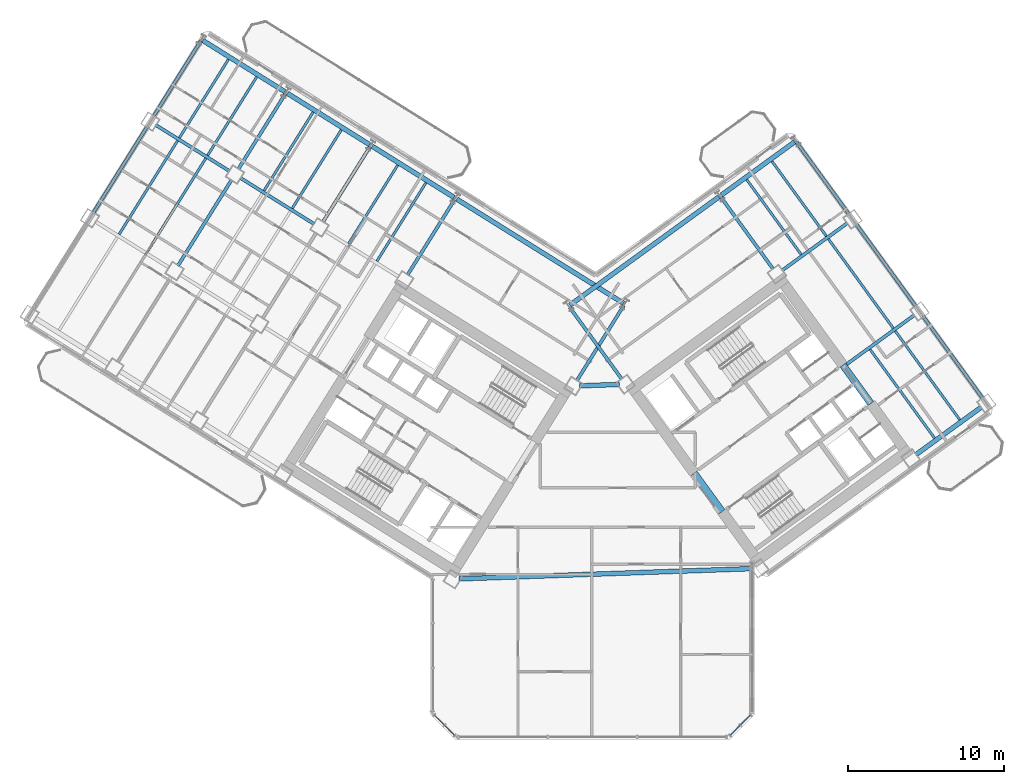
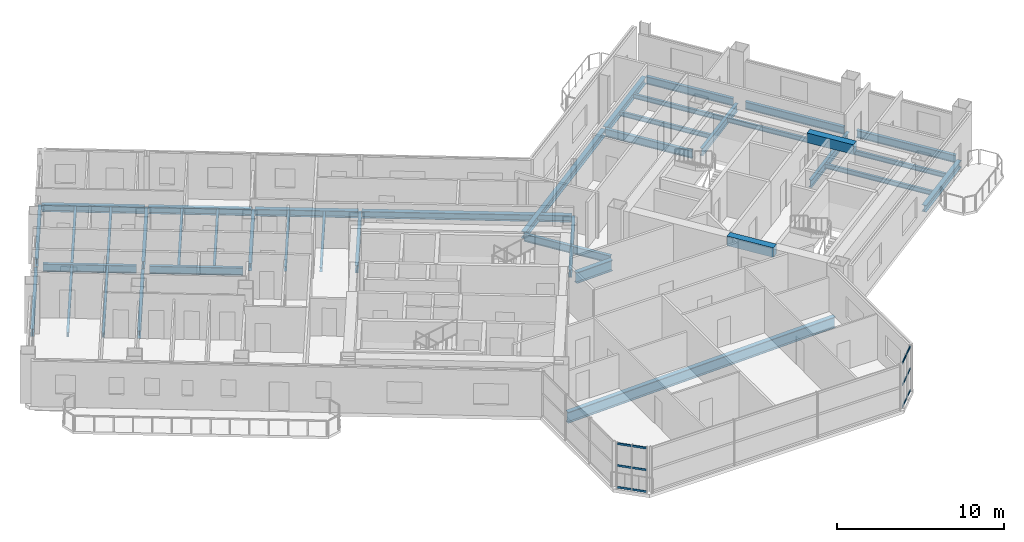
# One storey, part 7 of 22: 40 beams, 12 members, 2 elements without a shape of their own.
"""IFC4 building model written with IfcOpenShell, lengths in metres."""

import ifcopenshell
import ifcopenshell.guid

model = None  # the IFC model being written
_history = None  # IfcOwnerHistory: only IFC2X3 demands one
_inside = {}  # id of a spatial element -> (the spatial element, [elements in it])
_under = {}  # id of a project, library or spatial element -> (it, [spatial elements below it])
_declared = {}  # id of a project -> (the project, [libraries it declares])
_typed = {}  # id of a type object -> (the type object, [elements of that type])
_made_of = {}  # id of a material, layer set ... -> (it, [elements and type objects made of it])


def new_model(schema):
    """Start an empty IFC model of exactly this schema.

    Asked for "IFC4X3", IfcOpenShell would pick the latest addendum, in which some entities
    have other attributes; the version numbers below select the first issue.
    IFC2X3 requires an IfcOwnerHistory on every rooted entity: one is made here for all.
    """
    global model, _history
    if schema == "IFC4X3":
        model = ifcopenshell.file(schema_version=(4, 3, 0, 0))
    else:
        model = ifcopenshell.file(schema=schema)
    _inside.clear()
    _under.clear()
    _declared.clear()
    _typed.clear()
    _made_of.clear()
    _history = None
    if model.schema == "IFC2X3":
        org = make("IfcOrganization", Name="unknown")
        user = make(
            "IfcPersonAndOrganization",
            ThePerson=make("IfcPerson", FamilyName="unknown"),
            TheOrganization=org,
        )
        app = make(
            "IfcApplication",
            ApplicationDeveloper=org,
            Version="unknown",
            ApplicationFullName="unknown",
            ApplicationIdentifier="unknown",
        )
        _history = make(
            "IfcOwnerHistory",
            OwningUser=user,
            OwningApplication=app,
            ChangeAction="ADDED",
            CreationDate=0,
        )
    return model


def make(cls, **values):
    """One entity of the class cls with the attributes given. An attribute that is None is left unset."""
    return model.create_entity(
        cls, **{name: value for name, value in values.items() if value is not None}
    )


def rooted(cls, **values):
    """An entity with a GlobalId (a new one), such as an element, a storey or a relation."""
    return make(cls, GlobalId=ifcopenshell.guid.new(), OwnerHistory=_history, **values)


def si_unit(unit_type, name, prefix=None):
    """IfcSIUnit, for example si_unit("LENGTHUNIT", "METRE", prefix="MILLI")."""
    return make("IfcSIUnit", UnitType=unit_type, Prefix=prefix, Name=name)


def assignment(units):
    """IfcUnitAssignment: the units of a project."""
    return None if units is None else make("IfcUnitAssignment", Units=units)


def point(xyz):
    """IfcCartesianPoint."""
    return None if xyz is None else make("IfcCartesianPoint", Coordinates=xyz)


def direction(xyz):
    """IfcDirection."""
    return None if xyz is None else make("IfcDirection", DirectionRatios=xyz)


def frame(location, z_axis=None, x_axis=None):
    """IfcAxis2Placement3D, a coordinate frame: its origin and axes. An axis left out is left unset."""
    return make(
        "IfcAxis2Placement3D",
        Location=point(location),
        Axis=direction(z_axis),
        RefDirection=direction(x_axis),
    )


def frame_2d(location, x_axis=None):
    """IfcAxis2Placement2D, a coordinate frame in the plane: its origin and x axis."""
    return make(
        "IfcAxis2Placement2D", Location=point(location), RefDirection=direction(x_axis)
    )


def origin():
    """The frame at (0, 0, 0) with its axes left unset."""
    return frame((0.0, 0.0, 0.0))


def origin_2d():
    """The frame at (0, 0) in the plane with its x axis left unset."""
    return frame_2d((0.0, 0.0))


def place(relative_to, where):
    """IfcLocalPlacement: puts the frame where relative to a parent placement (None: the world)."""
    return make(
        "IfcLocalPlacement", PlacementRelTo=relative_to, RelativePlacement=where
    )


def context(
    kind, dimensions, precision=None, world=None, true_north=None, identifier=None
):
    """IfcGeometricRepresentationContext, for example the 3D "Model" context."""
    return make(
        "IfcGeometricRepresentationContext",
        ContextIdentifier=identifier,
        ContextType=kind,
        CoordinateSpaceDimension=dimensions,
        Precision=precision,
        WorldCoordinateSystem=world,
        TrueNorth=true_north,
    )


def subcontext(parent, identifier, kind, view, scale=None):
    """IfcGeometricRepresentationSubContext, for example "Body" below "Model"."""
    return make(
        "IfcGeometricRepresentationSubContext",
        ContextIdentifier=identifier,
        ContextType=kind,
        ParentContext=parent,
        TargetScale=scale,
        TargetView=view,
    )


def project(units=None, contexts=None):
    """IfcProject with its units and contexts."""
    return rooted(
        "IfcProject",
        Name="project",
        RepresentationContexts=contexts,
        UnitsInContext=assignment(units),
    )


def spatial(cls, under=None, at=None, **own):
    """A site, building, storey or space (cls), placed at a placement, below another one or the project."""
    s = rooted(cls, ObjectPlacement=at, **own)
    if under is not None:
        _under.setdefault(under.id(), (under, []))[1].append(s)
    return s


def profile(cls, at=None, kind="AREA", **sizes):
    """A parametric profile (cls). Its sizes go by their IFC names, for example OverallWidth=200.0."""
    return make(cls, ProfileType=kind, Position=at, **sizes)


def rectangle(**sizes):
    """IfcRectangleProfileDef."""
    return profile("IfcRectangleProfileDef", **sizes)


def hollow_rectangle(**sizes):
    """IfcRectangleHollowProfileDef."""
    return profile("IfcRectangleHollowProfileDef", **sizes)


def i_section(**sizes):
    """IfcIShapeProfileDef."""
    return profile("IfcIShapeProfileDef", **sizes)


def extrude(swept, where, along, depth):
    """IfcExtrudedAreaSolid: the profile swept, set in the frame where, extruded along a direction by depth."""
    return make(
        "IfcExtrudedAreaSolid",
        SweptArea=swept,
        Position=where,
        ExtrudedDirection=direction(along),
        Depth=depth,
    )


def shape(context_of_items, identifier, shape_type, items):
    """IfcShapeRepresentation: the items that make up one representation, for example the "Body"."""
    return make(
        "IfcShapeRepresentation",
        ContextOfItems=context_of_items,
        RepresentationIdentifier=identifier,
        RepresentationType=shape_type,
        Items=items,
    )


def source(mapping_origin, context_of_items, identifier, shape_type, items):
    """IfcRepresentationMap: a shape defined once, which mapped items show again and again."""
    return make(
        "IfcRepresentationMap",
        MappingOrigin=mapping_origin,
        MappedRepresentation=shape(context_of_items, identifier, shape_type, items),
    )


def transform(
    local_origin,
    x_axis=None,
    y_axis=None,
    z_axis=None,
    scale=None,
    scale2=None,
    scale3=None,
    uniform=True,
):
    """IfcCartesianTransformationOperator3D, or its non-uniform kind. x_axis, y_axis, z_axis: its Axis1, 2, 3."""
    if uniform:
        return make(
            "IfcCartesianTransformationOperator3D",
            Axis1=direction(x_axis),
            Axis2=direction(y_axis),
            LocalOrigin=point(local_origin),
            Scale=scale,
            Axis3=direction(z_axis),
        )
    return make(
        "IfcCartesianTransformationOperator3DnonUniform",
        Axis1=direction(x_axis),
        Axis2=direction(y_axis),
        LocalOrigin=point(local_origin),
        Scale=scale,
        Axis3=direction(z_axis),
        Scale2=scale2,
        Scale3=scale3,
    )


def mapped(mapping_source, mapping_target):
    """IfcMappedItem: shows the shape of a source again, moved by a transform."""
    return make(
        "IfcMappedItem", MappingSource=mapping_source, MappingTarget=mapping_target
    )


def material(Name=None, Category=None):
    """IfcMaterial."""
    return make("IfcMaterial", Name=Name, Category=Category)


def material_profile(
    of_material, cross_section, Name=None, Category=None, Priority=None
):
    """IfcMaterialProfile: a cross section and its material."""
    return make(
        "IfcMaterialProfile",
        Name=Name,
        Material=of_material,
        Profile=cross_section,
        Priority=Priority,
        Category=Category,
    )


def profile_set(profiles, Name=None, composite=None):
    """IfcMaterialProfileSet."""
    return make(
        "IfcMaterialProfileSet",
        Name=Name,
        MaterialProfiles=profiles,
        CompositeProfile=composite,
    )


def made_of(thing, what):
    """Note that an element or type object is made of a material, layer set ...; save() writes the relation."""
    if what is not None:
        _made_of.setdefault(what.id(), (what, []))[1].append(thing)
    return thing


def type_object(cls, material=None, **own):
    """A type object (cls), such as IfcWallType, which elements share."""
    return made_of(rooted(cls, **own), material)


def element(
    cls,
    number,
    at=None,
    inside=None,
    cuts=None,
    type_object=None,
    material=None,
    context=None,
    identifier="Body",
    shape_type=None,
    held_by="IfcProductDefinitionShape",
    body=None,
    shapes=None,
    **own,
):
    """One element of the class cls, such as IfcWall. Its Tag is "e" and its number.

    at: its placement. inside: the storey or other place that contains it. cuts: it is an
    opening in that element (IfcRelVoidsElement). A single representation is given by context,
    identifier, shape_type and body (its items); several are given by shapes. held_by: the class
    of the entity that holds the representations. save() writes the other relations.
    """
    e = rooted(cls, Tag="e%d" % number, ObjectPlacement=at, **own)
    if body is not None:
        shapes = [shape(context, identifier, shape_type, body)]
    if shapes is not None:
        e.Representation = make(held_by, Representations=shapes)
    if inside is not None:
        _inside.setdefault(inside.id(), (inside, []))[1].append(e)
    if cuts is not None:
        rooted(
            "IfcRelVoidsElement", RelatingBuildingElement=cuts, RelatedOpeningElement=e
        )
    if type_object is not None:
        _typed.setdefault(type_object.id(), (type_object, []))[1].append(e)
    return made_of(e, material)


def aggregate(whole, parts):
    """IfcRelAggregates: a whole, such as a stair, and the parts it consists of."""
    return rooted("IfcRelAggregates", RelatingObject=whole, RelatedObjects=parts)


def save(model, path):
    """Write the relations noted so far, then the file.

    IfcRelAggregates (storeys below a building ...), IfcRelContainedInSpatialStructure (elements
    in a storey), IfcRelDefinesByType, IfcRelAssociatesMaterial and IfcRelDeclares: one each for
    every whole, place, type object, material and project.
    """
    for whole, parts in _under.values():
        aggregate(whole, parts)
    for where, things in _inside.values():
        rooted(
            "IfcRelContainedInSpatialStructure",
            RelatedElements=things,
            RelatingStructure=where,
        )
    for kind, things in _typed.values():
        rooted("IfcRelDefinesByType", RelatedObjects=things, RelatingType=kind)
    for what, things in _made_of.values():
        rooted("IfcRelAssociatesMaterial", RelatedObjects=things, RelatingMaterial=what)
    for by, libraries in _declared.values():
        rooted("IfcRelDeclares", RelatingContext=by, RelatedDefinitions=libraries)
    model.write(path)


model = new_model("IFC4")

# Units and contexts
model_context = context("Model", 3, precision=1e-05, world=origin(), true_north=direction((0.0, 1.0)))
body_context = subcontext(model_context, "Body", "Model", "MODEL_VIEW")
ifc_project = project(units=[si_unit("LENGTHUNIT", "METRE"), si_unit("AREAUNIT", "SQUARE_METRE"), si_unit("VOLUMEUNIT", "CUBIC_METRE"), si_unit("PLANEANGLEUNIT", "RADIAN"), si_unit("MASSUNIT", "GRAM", prefix="KILO")], contexts=[model_context])

# Site, building, storey
site_placement = place(None, origin())
site = spatial("IfcSite", under=ifc_project, at=site_placement, CompositionType="ELEMENT")
building_placement = place(site_placement, origin())
building = spatial("IfcBuilding", under=site, at=building_placement, Name="Tlacorven Tower", CompositionType="ELEMENT")
storey_placement = place(building_placement, frame((0.0, 0.0, 97.199951171875)))
storey = spatial("IfcBuildingStorey", under=building, at=storey_placement, Name="L24", CompositionType="ELEMENT", Elevation=97.199951171875)

# Beams
ifc_material_1 = material(Name="Concrete C60/75", Category="concrete")
ifc_material_profile_1 = material_profile(ifc_material_1, rectangle(XDim=0.449951171875, YDim=0.699951171875, at=origin_2d()), Name="RC 450X700")
ifc_profile_set_1 = profile_set([ifc_material_profile_1], Name="Concrete C60/75")
beam_type_1 = type_object("IfcBeamType", Name="BM-LNT-700", PredefinedType="LINTEL", material=ifc_profile_set_1)
shared_shape_1 = source(origin(), body_context, "Body", "SweptSolid", [
    extrude(rectangle(XDim=0.449951171875, YDim=0.699951171875, at=origin_2d()), origin(), (0.0, 0.0, 1.0), 3.050048828125),
])
for number, where, z_axis, x_axis, name in (
    (1, (50.318359375, 16.416015625, 2.969970703125), (-0.587776590479, 0.80902328748, 0.0), (-0.80902328748, -0.587776590479, 0.0), "L24 E core coupling lintel beam E1"),
    (2, (59.856689453125, 23.345947265625, 2.969970703125), (-0.587776590479, 0.80902328748, 0.0), (-0.80902328748, -0.587776590479, 0.0), "L24 E core coupling lintel beam E2"),
):
    element("IfcBeam", number, at=place(storey_placement, frame(where, z_axis=z_axis, x_axis=x_axis)), inside=storey, type_object=beam_type_1, Name=name, PredefinedType="LINTEL", context=body_context, shape_type="MappedRepresentation", body=[
        mapped(shared_shape_1, transform((0.0, 0.0, 0.0), scale=1.0)),
    ])
ifc_material_2 = material(Name="Steel S355J2", Category="steel")
ifc_material_profile_2 = material_profile(ifc_material_2, i_section(OverallWidth=0.300048828125, OverallDepth=0.489990234375, WebThickness=0.011962890625, FlangeThickness=0.02294921875, at=origin_2d()), Name="HEA 500")
ifc_profile_set_2 = profile_set([ifc_material_profile_2], Name="Steel S355J2")
beam_type_2 = type_object("IfcBeamType", Name="BM-SPN-500", PredefinedType="SPANDREL", material=ifc_profile_set_2)
shared_shape_2 = source(origin(), body_context, "Body", "SweptSolid", [
    extrude(i_section(OverallWidth=0.300048828125, OverallDepth=0.489990234375, WebThickness=0.011962890625, FlangeThickness=0.02294921875, at=origin_2d()), origin(), (0.0, 0.0, 1.0), 12.599853515625),
])
beam_1_placement = place(storey_placement, frame((43.983642578125, 29.779296875, -0.494873046875), z_axis=(-0.848045108756, 0.529924045043, 0.0), x_axis=(-0.529924045043, -0.848045108756, 0.0)))
element("IfcBeam", 3, at=beam_1_placement, inside=storey, type_object=beam_type_2, Name="L24 beam BM-L24-WL1-1", PredefinedType="SPANDREL", context=body_context, shape_type="MappedRepresentation", body=[
    mapped(shared_shape_2, transform((0.0, 0.0, 0.0), scale=1.0)),
])
shared_shape_3 = source(origin(), body_context, "Body", "SweptSolid", [
    extrude(i_section(OverallWidth=0.300048828125, OverallDepth=0.489990234375, WebThickness=0.011962890625, FlangeThickness=0.02294921875, at=origin_2d()), origin(), (0.0, 0.0, 1.0), 6.199951171875),
])
beam_2_placement = place(storey_placement, frame((33.128662109375, 36.562255859375, -0.494873046875), z_axis=(-0.848051394107, 0.529913986372, 0.0), x_axis=(-0.529913986372, -0.848051394107, 0.0)))
element("IfcBeam", 4, at=beam_2_placement, inside=storey, type_object=beam_type_2, Name="L24 beam BM-L24-WL1-3", PredefinedType="SPANDREL", context=body_context, shape_type="MappedRepresentation", body=[
    mapped(shared_shape_3, transform((0.0, 0.0, 0.0), scale=1.0)),
])
shared_shape_4 = source(origin(), body_context, "Body", "SweptSolid", [
    extrude(i_section(OverallWidth=0.300048828125, OverallDepth=0.489990234375, WebThickness=0.011962890625, FlangeThickness=0.02294921875, at=origin_2d()), origin(), (0.0, 0.0, 1.0), 11.800048828125),
])
beam_3_placement = place(storey_placement, frame((40.560302734375, 29.65966796875, -0.494873046875), z_axis=(0.80900977213, 0.587795192732, 0.0), x_axis=(-0.587795192732, 0.80900977213, 0.0)))
element("IfcBeam", 5, at=beam_3_placement, inside=storey, type_object=beam_type_2, Name="L24 beam BM-L24-EL4-1", PredefinedType="SPANDREL", context=body_context, shape_type="MappedRepresentation", body=[
    mapped(shared_shape_4, transform((0.0, 0.0, 0.0), scale=1.0)),
])
shared_shape_5 = source(origin(), body_context, "Body", "SweptSolid", [
    extrude(i_section(OverallWidth=0.300048828125, OverallDepth=0.489990234375, WebThickness=0.011962890625, FlangeThickness=0.02294921875, at=origin_2d()), origin(), (0.0, 0.0, 1.0), 5.800048828125),
])
beam_4_placement = place(storey_placement, frame((50.2685546875, 36.713134765625, -0.494873046875), z_axis=(0.809019944521, 0.587781191743, 0.0), x_axis=(-0.587781191743, 0.809019944521, 0.0)))
element("IfcBeam", 6, at=beam_4_placement, inside=storey, type_object=beam_type_2, Name="L24 beam BM-L24-EL4-3", PredefinedType="SPANDREL", context=body_context, shape_type="MappedRepresentation", body=[
    mapped(shared_shape_5, transform((0.0, 0.0, 0.0), scale=1.0)),
])
shared_shape_6 = source(origin(), body_context, "Body", "SweptSolid", [
    extrude(i_section(OverallWidth=0.300048828125, OverallDepth=0.489990234375, WebThickness=0.011962890625, FlangeThickness=0.02294921875, at=origin_2d()), origin(), (0.0, 0.0, 1.0), 6.2001953125),
])
for number, where, z_axis, x_axis, name in (
    (7, (27.701171875, 39.95361328125, -0.494873046875), (-0.84804475579, 0.5299246099, 0.0), (-0.5299246099, -0.84804475579, 0.0), "L24 beam BM-L24-WL1-4"),
    (8, (22.273681640625, 43.34521484375, -0.494873046875), (-0.848062451332, 0.529896290457, 0.0), (-0.529896290457, -0.848062451332, 0.0), "L24 beam BM-L24-WL1-5"),
):
    element("IfcBeam", number, at=place(storey_placement, frame(where, z_axis=z_axis, x_axis=x_axis)), inside=storey, type_object=beam_type_2, Name=name, PredefinedType="SPANDREL", context=body_context, shape_type="MappedRepresentation", body=[
        mapped(shared_shape_6, transform((0.0, 0.0, 0.0), scale=1.0)),
    ])
ifc_material_profile_3 = material_profile(ifc_material_2, i_section(OverallWidth=0.2099609375, OverallDepth=0.550048828125, WebThickness=0.010986328125, FlangeThickness=0.01708984375, at=origin_2d()), Name="IPE 550")
ifc_profile_set_3 = profile_set([ifc_material_profile_3], Name="Steel S355J2")
beam_type_3 = type_object("IfcBeamType", Name="BM-TWR-550", PredefinedType="BEAM", material=ifc_profile_set_3)
shared_shape_7 = source(origin(), body_context, "Body", "SweptSolid", [
    extrude(i_section(OverallWidth=0.2099609375, OverallDepth=0.550048828125, WebThickness=0.010986328125, FlangeThickness=0.01708984375, at=origin_2d()), origin(), (0.0, 0.0, 1.0), 5.599853515625),
])
for number, where, z_axis, x_axis, name in (
    (9, (24.1611328125, 34.854736328125, -0.52490234375), (-0.848047285686, 0.529920561254, 0.0), (-0.529920561254, -0.848047285686, 0.0), "L24 beam BM-L24-WL2-4"),
    (10, (18.733642578125, 38.246337890625, -0.52490234375), (-0.848047285686, 0.529920561254, 0.0), (-0.529920561254, -0.848047285686, 0.0), "L24 beam BM-L24-WL2-5"),
):
    element("IfcBeam", number, at=place(storey_placement, frame(where, z_axis=z_axis, x_axis=x_axis)), inside=storey, type_object=beam_type_3, Name=name, PredefinedType="BEAM", context=body_context, shape_type="MappedRepresentation", body=[
        mapped(shared_shape_7, transform((0.0, 0.0, 0.0), scale=1.0)),
    ])
shared_shape_8 = source(origin(), body_context, "Body", "SweptSolid", [
    extrude(i_section(OverallWidth=0.2099609375, OverallDepth=0.550048828125, WebThickness=0.010986328125, FlangeThickness=0.01708984375, at=origin_2d()), origin(), (0.0, 0.0, 1.0), 5.7001953125),
])
for number, where, z_axis, x_axis, name in (
    (11, (44.015380859375, 29.6416015625, -0.52490234375), (-0.529906537151, -0.848056048787, 0.0), (0.848056048787, -0.529906537151, 0.0), "L24 beam BM-L24-WT1-1"),
    (12, (33.160400390625, 36.424560546875, -0.52490234375), (-0.529906537151, -0.848056048787, 0.0), (0.848056048787, -0.529906537151, 0.0), "L24 beam BM-L24-WT3-1"),
    (13, (22.305419921875, 43.20751953125, -0.52490234375), (-0.529906537151, -0.848056048787, 0.0), (0.848056048787, -0.529906537151, 0.0), "L24 beam BM-L24-WT5-1"),
):
    element("IfcBeam", number, at=place(storey_placement, frame(where, z_axis=z_axis, x_axis=x_axis)), inside=storey, type_object=beam_type_3, Name=name, PredefinedType="BEAM", context=body_context, shape_type="MappedRepresentation", body=[
        mapped(shared_shape_8, transform((0.0, 0.0, 0.0), scale=1.0)),
    ])
shared_shape_9 = source(origin(), body_context, "Body", "SweptSolid", [
    extrude(i_section(OverallWidth=0.2099609375, OverallDepth=0.550048828125, WebThickness=0.010986328125, FlangeThickness=0.01708984375, at=origin_2d()), origin(), (0.0, 0.0, 1.0), 5.699951171875),
])
for number, where, z_axis, x_axis, name in (
    (14, (27.73291015625, 39.81591796875, -0.52490234375), (-0.529925785607, -0.848044021115, 0.0), (0.848044021115, -0.529925785607, 0.0), "L24 beam BM-L24-WT4-1"),
    (15, (16.8779296875, 46.598876953125, -0.52490234375), (-0.529925785607, -0.848044021115, 0.0), (0.848044021115, -0.529925785607, 0.0), "L24 beam BM-L24-WT6-1"),
    (16, (43.888671875, 24.90869140625, -0.52490234375), (-0.587787066966, 0.809015675935, 0.0), (-0.809015675935, -0.587787066966, 0.0), "L24 beam BM-L24-ET1-2"),
    (17, (53.596923828125, 31.962158203125, -0.52490234375), (-0.587787066966, 0.809015675935, 0.0), (-0.809015675935, -0.587787066966, 0.0), "L24 beam BM-L24-ET3-2"),
    (18, (58.450927734375, 35.48876953125, -0.52490234375), (-0.587787066966, 0.809015675935, 0.0), (-0.809015675935, -0.587787066966, 0.0), "L24 beam BM-L24-ET4-3"),
):
    element("IfcBeam", number, at=place(storey_placement, frame(where, z_axis=z_axis, x_axis=x_axis)), inside=storey, type_object=beam_type_3, Name=name, PredefinedType="BEAM", context=body_context, shape_type="MappedRepresentation", body=[
        mapped(shared_shape_9, transform((0.0, 0.0, 0.0), scale=1.0)),
    ])
shared_shape_10 = source(origin(), body_context, "Body", "SweptSolid", [
    extrude(i_section(OverallWidth=0.2099609375, OverallDepth=0.550048828125, WebThickness=0.010986328125, FlangeThickness=0.01708984375, at=origin_2d()), origin(), (0.0, 0.0, 1.0), 6.5),
])
for number, where, z_axis, x_axis, name in (
    (19, (13.433349609375, 41.086669921875, -0.52490234375), (-0.529894274829, -0.848063710757, 0.0), (0.848063710757, -0.529894274829, 0.0), "L24 beam BM-L24-WT6-2"),
    (20, (67.03271484375, 23.67724609375, -0.52490234375), (-0.587809847215, 0.808999124547, 0.0), (-0.808999124547, -0.587809847215, 0.0), "L24 beam BM-L24-ET4-1"),
    (21, (62.74169921875, 29.5830078125, -0.52490234375), (-0.587785264321, 0.809016985636, 0.0), (-0.809016985636, -0.587785264321, 0.0), "L24 beam BM-L24-ET4-2"),
):
    element("IfcBeam", number, at=place(storey_placement, frame(where, z_axis=z_axis, x_axis=x_axis)), inside=storey, type_object=beam_type_3, Name=name, PredefinedType="BEAM", context=body_context, shape_type="MappedRepresentation", body=[
        mapped(shared_shape_10, transform((0.0, 0.0, 0.0), scale=1.0)),
    ])
shared_shape_11 = source(origin(), body_context, "Body", "SweptSolid", [
    extrude(i_section(OverallWidth=0.2099609375, OverallDepth=0.550048828125, WebThickness=0.010986328125, FlangeThickness=0.01708984375, at=origin_2d()), origin(), (0.0, 0.0, 1.0), 6.499755859375),
])
beam_5_placement = place(storey_placement, frame((18.86083984375, 37.695068359375, -0.52490234375), z_axis=(-0.529911154058, -0.848053163902, 0.0), x_axis=(0.848053163902, -0.529911154058, 0.0)))
element("IfcBeam", 22, at=beam_5_placement, inside=storey, type_object=beam_type_3, Name="L24 beam BM-L24-WT5-2", PredefinedType="BEAM", context=body_context, shape_type="MappedRepresentation", body=[
    mapped(shared_shape_11, transform((0.0, 0.0, 0.0), scale=1.0)),
])
shared_shape_12 = source(origin(), body_context, "Body", "SweptSolid", [
    extrude(i_section(OverallWidth=0.300048828125, OverallDepth=0.489990234375, WebThickness=0.011962890625, FlangeThickness=0.02294921875, at=origin_2d()), origin(), (0.0, 0.0, 1.0), 5.199951171875),
])
beam_6_placement = place(storey_placement, frame((62.7373046875, 20.06201171875, -0.494873046875), z_axis=(0.809018206713, 0.587783583648, 0.0), x_axis=(-0.587783583648, 0.809018206713, 0.0)))
element("IfcBeam", 23, at=beam_6_placement, inside=storey, type_object=beam_type_2, Name="L24 beam BM-L24-EL1-3", PredefinedType="SPANDREL", context=body_context, shape_type="MappedRepresentation", body=[
    mapped(shared_shape_12, transform((0.0, 0.0, 0.0), scale=1.0)),
])
shared_shape_13 = source(origin(), body_context, "Body", "SweptSolid", [
    extrude(i_section(OverallWidth=0.2099609375, OverallDepth=0.550048828125, WebThickness=0.010986328125, FlangeThickness=0.01708984375, at=origin_2d()), origin(), (0.0, 0.0, 1.0), 5.56005859375),
])
beam_7_placement = place(storey_placement, frame((58.155029296875, 25.756103515625, -0.52490234375), z_axis=(0.809028396397, 0.587769558435, 0.0), x_axis=(-0.587769558435, 0.809028396397, 0.0)))
element("IfcBeam", 24, at=beam_7_placement, inside=storey, type_object=beam_type_3, Name="L24 beam BM-L24-EL2-3", PredefinedType="BEAM", context=body_context, shape_type="MappedRepresentation", body=[
    mapped(shared_shape_13, transform((0.0, 0.0, 0.0), scale=1.0)),
])
shared_shape_14 = source(origin(), body_context, "Body", "SweptSolid", [
    extrude(i_section(OverallWidth=0.2099609375, OverallDepth=0.550048828125, WebThickness=0.010986328125, FlangeThickness=0.01708984375, at=origin_2d()), origin(), (0.0, 0.0, 1.0), 5.2001953125),
])
beam_8_placement = place(storey_placement, frame((54.155517578125, 31.87353515625, -0.52490234375), z_axis=(0.80901210161, 0.587791986546, 0.0), x_axis=(-0.587791986546, 0.80901210161, 0.0)))
element("IfcBeam", 25, at=beam_8_placement, inside=storey, type_object=beam_type_3, Name="L24 beam BM-L24-EL3-3", PredefinedType="BEAM", context=body_context, shape_type="MappedRepresentation", body=[
    mapped(shared_shape_14, transform((0.0, 0.0, 0.0), scale=1.0)),
])
ifc_material_profile_4 = material_profile(ifc_material_2, i_section(OverallWidth=0.300048828125, OverallDepth=0.800048828125, WebThickness=0.017578125, FlangeThickness=0.032958984375, at=origin_2d()), Name="HEB 800")
ifc_profile_set_4 = profile_set([ifc_material_profile_4], Name="Steel S355J2")
beam_type_4 = type_object("IfcBeamType", Name="BM-POD-800", PredefinedType="BEAM", material=ifc_profile_set_4)
shared_shape_15 = source(origin(), body_context, "Body", "SweptSolid", [
    extrude(i_section(OverallWidth=0.300048828125, OverallDepth=0.800048828125, WebThickness=0.017578125, FlangeThickness=0.032958984375, at=origin_2d()), origin(), (0.0, 0.0, 1.0), 2.542724609375),
])
beam_9_placement = place(storey_placement, frame((41.1826171875, 24.482421875, -0.64990234375), z_axis=(0.999392467766, 0.034852480142, 0.0), x_axis=(-0.034852480142, 0.999392467766, 0.0)))
element("IfcBeam", 26, at=beam_9_placement, inside=storey, type_object=beam_type_4, Name="L24 Knuckle Link Girder 1", PredefinedType="BEAM", context=body_context, shape_type="MappedRepresentation", body=[
    mapped(shared_shape_15, transform((0.0, 0.0, 0.0), scale=1.0)),
])
shared_shape_16 = source(origin(), body_context, "Body", "SweptSolid", [
    extrude(i_section(OverallWidth=0.300048828125, OverallDepth=0.800048828125, WebThickness=0.017578125, FlangeThickness=0.032958984375, at=origin_2d()), origin(), (0.0, 0.0, 1.0), 18.871337890625),
])
beam_10_placement = place(storey_placement, frame((33.44580078125, 12.100830078125, -0.64990234375), z_axis=(0.999390659804, 0.034904284792, 0.0), x_axis=(-0.034904284792, 0.999390659804, 0.0)))
element("IfcBeam", 27, at=beam_10_placement, inside=storey, type_object=beam_type_4, Name="L24 Knuckle Link Girder 2", PredefinedType="BEAM", context=body_context, shape_type="MappedRepresentation", body=[
    mapped(shared_shape_16, transform((0.0, 0.0, 0.0), scale=1.0)),
])
ifc_material_profile_5 = material_profile(ifc_material_2, i_section(OverallWidth=0.159912109375, OverallDepth=0.330078125, WebThickness=0.007568359375, FlangeThickness=0.011474609375, at=origin_2d()), Name="IPE 330")
ifc_profile_set_5 = profile_set([ifc_material_profile_5], Name="Steel S355J2")
beam_type_5 = type_object("IfcBeamType", Name="BM-JST-330", PredefinedType="JOIST", material=ifc_profile_set_5)
shared_shape_17 = source(origin(), body_context, "Body", "SweptSolid", [
    extrude(i_section(OverallWidth=0.159912109375, OverallDepth=0.330078125, WebThickness=0.007568359375, FlangeThickness=0.011474609375, at=origin_2d()), origin(), (0.0, 0.0, 1.0), 5.93505859375),
])
for number, where, z_axis, x_axis, name in (
    (28, (31.322265625, 37.50830078125, -0.4150390625), (-0.529939778535, -0.848035277053, 0.0), (0.848035277053, -0.529939778535, 0.0), "L24 beam BM-L24-WJ3-1-1"),
    (29, (29.512939453125, 38.638916015625, -0.4150390625), (-0.529910194899, -0.848053763238, 0.0), (0.848053763238, -0.529910194899, 0.0), "L24 beam BM-L24-WJ3-1-2"),
    (30, (24.08544921875, 42.0302734375, -0.4150390625), (-0.529910194899, -0.848053763238, 0.0), (0.848053763238, -0.529910194899, 0.0), "L24 beam BM-L24-WJ4-1-2"),
    (31, (20.467041015625, 44.291259765625, -0.4150390625), (-0.529910194899, -0.848053763238, 0.0), (0.848053763238, -0.529910194899, 0.0), "L24 beam BM-L24-WJ5-1-1"),
    (32, (18.657958984375, 45.421875, -0.4150390625), (-0.529910194899, -0.848053763238, 0.0), (0.848053763238, -0.529910194899, 0.0), "L24 beam BM-L24-WJ5-1-2"),
    (33, (55.38525390625, 32.903076171875, -0.4150390625), (-0.58778762431, 0.809015270998, 0.0), (-0.809015270998, -0.58778762431, 0.0), "L24 beam BM-L24-EJ3-3-1"),
    (34, (57.00341796875, 34.07861328125, -0.4150390625), (-0.58778762431, 0.809015270998, 0.0), (-0.809015270998, -0.58778762431, 0.0), "L24 beam BM-L24-EJ3-3-2"),
):
    element("IfcBeam", number, at=place(storey_placement, frame(where, z_axis=z_axis, x_axis=x_axis)), inside=storey, type_object=beam_type_5, Name=name, PredefinedType="JOIST", context=body_context, shape_type="MappedRepresentation", body=[
        mapped(shared_shape_17, transform((0.0, 0.0, 0.0), scale=1.0)),
    ])
shared_shape_18 = source(origin(), body_context, "Body", "SweptSolid", [
    extrude(i_section(OverallWidth=0.159912109375, OverallDepth=0.330078125, WebThickness=0.007568359375, FlangeThickness=0.011474609375, at=origin_2d()), origin(), (0.0, 0.0, 1.0), 7.080078125),
])
for number, where, z_axis, x_axis, name in (
    (35, (17.20556640625, 39.071533203125, -0.4150390625), (-0.529933847046, -0.848038983629, 0.0), (0.848038983629, -0.529933847046, 0.0), "L24 beam BM-L24-WJ5-2-1"),
    (36, (15.396240234375, 40.2021484375, -0.4150390625), (-0.529893550998, -0.848064163027, 0.0), (0.848064163027, -0.529893550998, 0.0), "L24 beam BM-L24-WJ5-2-2"),
    (37, (61.294189453125, 28.1728515625, -0.4150390625), (-0.587798472288, 0.809007389321, 0.0), (-0.809007389321, -0.587798472288, 0.0), "L24 beam BM-L24-EJ3-2-2"),
):
    element("IfcBeam", number, at=place(storey_placement, frame(where, z_axis=z_axis, x_axis=x_axis)), inside=storey, type_object=beam_type_5, Name=name, PredefinedType="JOIST", context=body_context, shape_type="MappedRepresentation", body=[
        mapped(shared_shape_18, transform((0.0, 0.0, 0.0), scale=1.0)),
    ])
shared_shape_19 = source(origin(), body_context, "Body", "SweptSolid", [
    extrude(i_section(OverallWidth=0.159912109375, OverallDepth=0.330078125, WebThickness=0.007568359375, FlangeThickness=0.011474609375, at=origin_2d()), origin(), (0.0, 0.0, 1.0), 7.03515625),
])
beam_11_placement = place(storey_placement, frame((63.9404296875, 21.127685546875, -0.4150390625), z_axis=(-0.58776512903, 0.809031614399, 0.0), x_axis=(-0.809031614399, -0.58776512903, 0.0)))
element("IfcBeam", 38, at=beam_11_placement, inside=storey, type_object=beam_type_5, Name="L24 beam BM-L24-EJ3-1-1", PredefinedType="JOIST", context=body_context, shape_type="MappedRepresentation", body=[
    mapped(shared_shape_19, transform((0.0, 0.0, 0.0), scale=1.0)),
])
shared_shape_20 = source(origin(), body_context, "Body", "SweptSolid", [
    extrude(i_section(OverallWidth=0.159912109375, OverallDepth=0.330078125, WebThickness=0.007568359375, FlangeThickness=0.011474609375, at=origin_2d()), origin(), (0.0, 0.0, 1.0), 5.934814453125),
])
beam_12_placement = place(storey_placement, frame((25.894775390625, 40.899658203125, -0.4150390625), z_axis=(-0.529958265352, -0.848023724306, 0.0), x_axis=(0.848023724306, -0.529958265352, 0.0)))
element("IfcBeam", 39, at=beam_12_placement, inside=storey, type_object=beam_type_5, Name="L24 beam BM-L24-WJ4-1-1", PredefinedType="JOIST", context=body_context, shape_type="MappedRepresentation", body=[
    mapped(shared_shape_20, transform((0.0, 0.0, 0.0), scale=1.0)),
])
shared_shape_21 = source(origin(), body_context, "Body", "SweptSolid", [
    extrude(i_section(OverallWidth=0.159912109375, OverallDepth=0.330078125, WebThickness=0.007568359375, FlangeThickness=0.011474609375, at=origin_2d()), origin(), (0.0, 0.0, 1.0), 7.034912109375),
])
beam_13_placement = place(storey_placement, frame((65.55859375, 22.303466796875, -0.4150390625), z_axis=(-0.587781631373, 0.809019625115, 0.0), x_axis=(-0.809019625115, -0.587781631373, 0.0)))
element("IfcBeam", 40, at=beam_13_placement, inside=storey, type_object=beam_type_5, Name="L24 beam BM-L24-EJ3-1-2", PredefinedType="JOIST", context=body_context, shape_type="MappedRepresentation", body=[
    mapped(shared_shape_21, transform((0.0, 0.0, 0.0), scale=1.0)),
])

# Curtain wall, members
ifc_material_3 = material(Name="Dark solar low-E double glazing in aluminium frame", Category="aluminium")
curtain_wall_type = type_object("IfcCurtainWallType", Name="CW-TWR-LOW", PredefinedType="USERDEFINED", material=ifc_material_3)
curtain_wall_1_placement = place(storey_placement, origin())
curtain_wall_1 = element("IfcCurtainWall", 41, at=curtain_wall_1_placement, inside=storey, type_object=curtain_wall_type, Name="L24 CW-TWR-LOW Curtain Wall 123", ObjectType="UNITISED CURTAIN WALL", PredefinedType="USERDEFINED")
ifc_material_4 = material(Name="Aluminium 6063-T6 anodised", Category="aluminium")
ifc_material_profile_6 = material_profile(ifc_material_4, hollow_rectangle(XDim=0.06005859375, YDim=0.139892578125, WallThickness=0.00390625, at=origin_2d()), Name="ALU TRANSOM 60X140")
ifc_profile_set_6 = profile_set([ifc_material_profile_6], Name="Aluminium 6063-T6 anodised")
member_type = type_object("IfcMemberType", Name="CWT-02", PredefinedType="USERDEFINED", material=ifc_profile_set_6)
shared_shape_22 = source(origin(), body_context, "Body", "SweptSolid", [
    extrude(hollow_rectangle(XDim=0.06005859375, YDim=0.139892578125, WallThickness=0.00390625, at=origin_2d()), origin(), (0.0, 0.0, 1.0), 0.8837890625),
])
member_1_placement = place(storey_placement, frame((52.128173828125, 3.3544921875, 0.070068359375), z_axis=(-0.707106781187, -0.707106781187, 0.0), x_axis=(0.707106781187, -0.707106781187, 0.0)))
member_1 = element("IfcMember", 42, at=member_1_placement, type_object=member_type, Name="CW-L24-123 Transom 1", ObjectType="TRANSOM", PredefinedType="USERDEFINED", context=body_context, shape_type="MappedRepresentation", body=[
    mapped(shared_shape_22, transform((0.0, 0.0, 0.0), scale=1.0)),
])
member_2_placement = place(storey_placement, frame((52.128173828125, 3.3544921875, 1.66015625), z_axis=(-0.707106781187, -0.707106781187, 0.0), x_axis=(0.707106781187, -0.707106781187, 0.0)))
member_2 = element("IfcMember", 43, at=member_2_placement, type_object=member_type, Name="CW-L24-123 Transom 2", ObjectType="TRANSOM", PredefinedType="USERDEFINED", context=body_context, shape_type="MappedRepresentation", body=[
    mapped(shared_shape_22, transform((0.0, 0.0, 0.0), scale=1.0)),
])
member_3_placement = place(storey_placement, frame((52.128173828125, 3.3544921875, 3.25), z_axis=(-0.707106781187, -0.707106781187, 0.0), x_axis=(0.707106781187, -0.707106781187, 0.0)))
member_3 = element("IfcMember", 44, at=member_3_placement, type_object=member_type, Name="CW-L24-123 Transom 3", ObjectType="TRANSOM", PredefinedType="USERDEFINED", context=body_context, shape_type="MappedRepresentation", body=[
    mapped(shared_shape_22, transform((0.0, 0.0, 0.0), scale=1.0)),
])

curtain_wall_2_placement = place(storey_placement, origin())
curtain_wall_2 = element("IfcCurtainWall", 45, at=curtain_wall_2_placement, inside=storey, type_object=curtain_wall_type, Name="L24 CW-TWR-LOW Curtain Wall 125", ObjectType="UNITISED CURTAIN WALL", PredefinedType="USERDEFINED")
member_4_placement = place(storey_placement, frame((32.496826171875, 2.7294921875, 0.070068359375), z_axis=(-0.707106781187, 0.707106781187, 0.0), x_axis=(-0.707106781187, -0.707106781187, 0.0)))
member_4 = element("IfcMember", 46, at=member_4_placement, type_object=member_type, Name="CW-L24-125 Transom 4", ObjectType="TRANSOM", PredefinedType="USERDEFINED", context=body_context, shape_type="MappedRepresentation", body=[
    mapped(shared_shape_22, transform((0.0, 0.0, 0.0), scale=1.0)),
])
member_5_placement = place(storey_placement, frame((32.496826171875, 2.7294921875, 1.66015625), z_axis=(-0.707106781187, 0.707106781187, 0.0), x_axis=(-0.707106781187, -0.707106781187, 0.0)))
member_5 = element("IfcMember", 47, at=member_5_placement, type_object=member_type, Name="CW-L24-125 Transom 5", ObjectType="TRANSOM", PredefinedType="USERDEFINED", context=body_context, shape_type="MappedRepresentation", body=[
    mapped(shared_shape_22, transform((0.0, 0.0, 0.0), scale=1.0)),
])
member_6_placement = place(storey_placement, frame((32.496826171875, 2.7294921875, 3.25), z_axis=(-0.707106781187, 0.707106781187, 0.0), x_axis=(-0.707106781187, -0.707106781187, 0.0)))
member_6 = element("IfcMember", 48, at=member_6_placement, type_object=member_type, Name="CW-L24-125 Transom 6", ObjectType="TRANSOM", PredefinedType="USERDEFINED", context=body_context, shape_type="MappedRepresentation", body=[
    mapped(shared_shape_22, transform((0.0, 0.0, 0.0), scale=1.0)),
])

# Member
shared_shape_23 = source(origin(), body_context, "Body", "SweptSolid", [
    extrude(hollow_rectangle(XDim=0.06005859375, YDim=0.139892578125, WallThickness=0.00390625, at=origin_2d()), origin(), (0.0, 0.0, 1.0), 0.884033203125),
])
member_7_placement = place(storey_placement, frame((51.470703125, 2.69677734375, 0.070068359375), z_axis=(-0.707244847527, -0.706968687883, 0.0), x_axis=(0.706968687883, -0.707244847527, 0.0)))
member_7 = element("IfcMember", 49, at=member_7_placement, type_object=member_type, Name="CW-L24-123 Transom 4", ObjectType="TRANSOM", PredefinedType="USERDEFINED", context=body_context, shape_type="MappedRepresentation", body=[
    mapped(shared_shape_23, transform((0.0, 0.0, 0.0), scale=1.0)),
])

member_8_placement = place(storey_placement, frame((51.470703125, 2.69677734375, 1.66015625), z_axis=(-0.707244847527, -0.706968687883, 0.0), x_axis=(0.706968687883, -0.707244847527, 0.0)))
member_8 = element("IfcMember", 50, at=member_8_placement, type_object=member_type, Name="CW-L24-123 Transom 5", ObjectType="TRANSOM", PredefinedType="USERDEFINED", context=body_context, shape_type="MappedRepresentation", body=[
    mapped(shared_shape_23, transform((0.0, 0.0, 0.0), scale=1.0)),
])

member_9_placement = place(storey_placement, frame((51.470703125, 2.69677734375, 3.25), z_axis=(-0.707244847527, -0.706968687883, 0.0), x_axis=(0.706968687883, -0.707244847527, 0.0)))
member_9 = element("IfcMember", 51, at=member_9_placement, type_object=member_type, Name="CW-L24-123 Transom 6", ObjectType="TRANSOM", PredefinedType="USERDEFINED", context=body_context, shape_type="MappedRepresentation", body=[
    mapped(shared_shape_23, transform((0.0, 0.0, 0.0), scale=1.0)),
])

aggregate(curtain_wall_1, [member_1, member_2, member_3, member_7, member_8, member_9])

member_10_placement = place(storey_placement, frame((33.154541015625, 2.07177734375, 0.070068359375), z_axis=(-0.707244847527, 0.706968687883, 0.0), x_axis=(-0.706968687883, -0.707244847527, 0.0)))
member_10 = element("IfcMember", 52, at=member_10_placement, type_object=member_type, Name="CW-L24-125 Transom 1", ObjectType="TRANSOM", PredefinedType="USERDEFINED", context=body_context, shape_type="MappedRepresentation", body=[
    mapped(shared_shape_23, transform((0.0, 0.0, 0.0), scale=1.0)),
])

member_11_placement = place(storey_placement, frame((33.154541015625, 2.07177734375, 1.66015625), z_axis=(-0.707244847527, 0.706968687883, 0.0), x_axis=(-0.706968687883, -0.707244847527, 0.0)))
member_11 = element("IfcMember", 53, at=member_11_placement, type_object=member_type, Name="CW-L24-125 Transom 2", ObjectType="TRANSOM", PredefinedType="USERDEFINED", context=body_context, shape_type="MappedRepresentation", body=[
    mapped(shared_shape_23, transform((0.0, 0.0, 0.0), scale=1.0)),
])

member_12_placement = place(storey_placement, frame((33.154541015625, 2.07177734375, 3.25), z_axis=(-0.707244847527, 0.706968687883, 0.0), x_axis=(-0.706968687883, -0.707244847527, 0.0)))
member_12 = element("IfcMember", 54, at=member_12_placement, type_object=member_type, Name="CW-L24-125 Transom 3", ObjectType="TRANSOM", PredefinedType="USERDEFINED", context=body_context, shape_type="MappedRepresentation", body=[
    mapped(shared_shape_23, transform((0.0, 0.0, 0.0), scale=1.0)),
])

aggregate(curtain_wall_2, [member_10, member_11, member_12, member_4, member_5, member_6])

save(model, "model.ifc")
